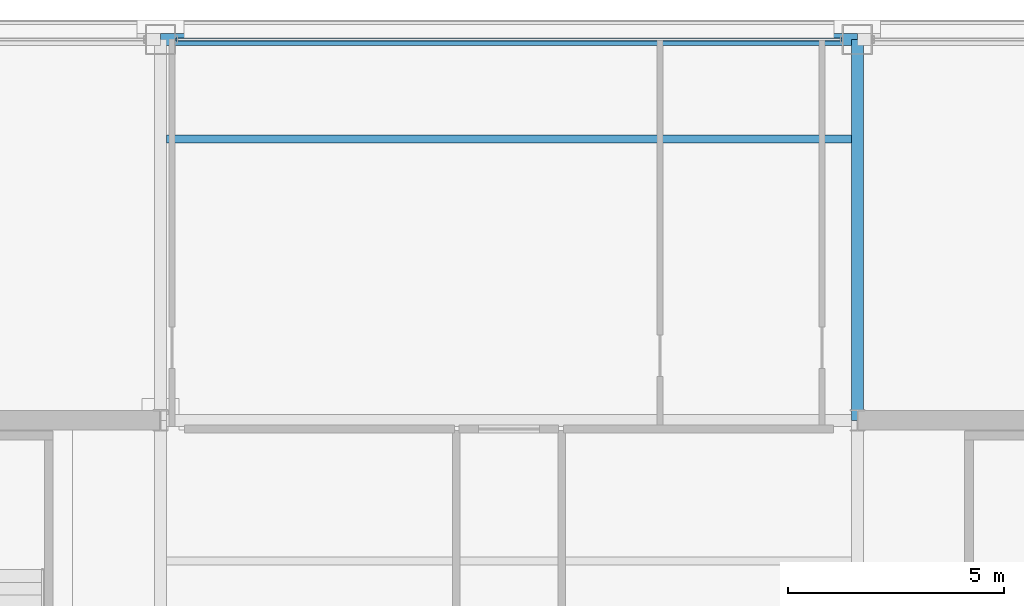
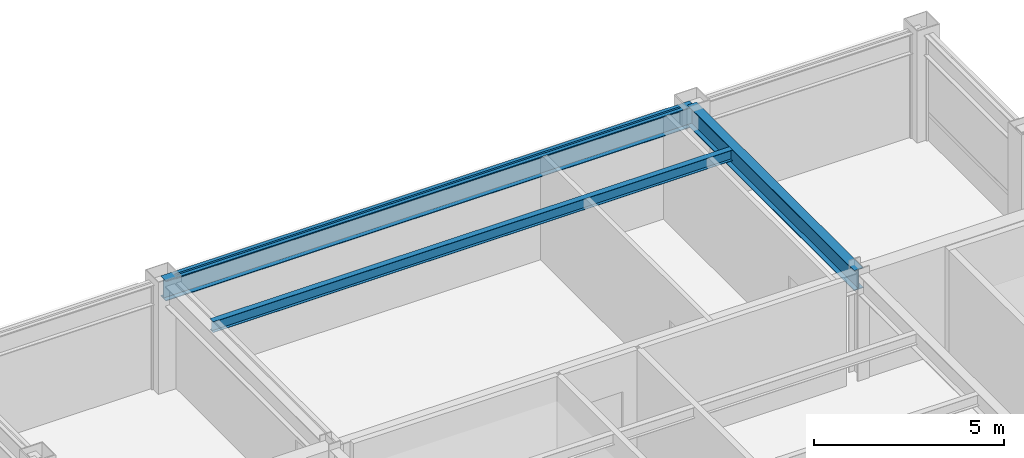
# One storey, part 20 of 28: 3 beams, 1 member, 1 element without a shape of its own.
"""IFC4 building model written with IfcOpenShell, lengths in metres."""

from ifc_helpers import new_model, si_unit, direction, frame, origin, origin_2d, place, context, subcontext, project, spatial, hollow_rectangle, i_section, extrude, material, layer, layer_set, material_profile, profile_set, type_object, element, aggregate, save


model = new_model("IFC4")

# Units and contexts
model_context = context("Model", 3, precision=1e-05, world=origin(), true_north=direction((0.0, 1.0)))
body_context = subcontext(model_context, "Body", "Model", "MODEL_VIEW")
ifc_project = project(units=[si_unit("LENGTHUNIT", "METRE"), si_unit("AREAUNIT", "SQUARE_METRE"), si_unit("VOLUMEUNIT", "CUBIC_METRE"), si_unit("PLANEANGLEUNIT", "RADIAN"), si_unit("MASSUNIT", "GRAM", prefix="KILO")], contexts=[model_context])

# Site, building, storey
site_placement = place(None, origin())
site = spatial("IfcSite", under=ifc_project, at=site_placement, CompositionType="ELEMENT")
building_placement = place(site_placement, origin())
building = spatial("IfcBuilding", under=site, at=building_placement, Name="Brelmoor Portico Tower", CompositionType="ELEMENT")
storey_placement = place(building_placement, frame((0.0, 0.0, 191.10009765625)))
storey = spatial("IfcBuildingStorey", under=building, at=storey_placement, Name="L50", CompositionType="ELEMENT", Elevation=191.10009765625)

# Beams
ifc_material_1 = material(Name="Steel Q355B", Category="steel")
ifc_material_profile_1 = material_profile(ifc_material_1, i_section(OverallWidth=0.175048828125, OverallDepth=0.35009765625, WebThickness=0.007080078125, FlangeThickness=0.010986328125, at=origin_2d()), Name="HN 350x175x7x11")
ifc_profile_set_1 = profile_set([ifc_material_profile_1], Name="Steel Q355B")
beam_type_1 = type_object("IfcBeamType", Name="BM-JS-350", PredefinedType="JOIST", material=ifc_profile_set_1)
beam_1_placement = place(storey_placement, frame((-7.909912109375, 16.25, 3.224853515625), z_axis=(1.0, 0.0, 0.0), x_axis=(0.0, 1.0, 0.0)))
element("IfcBeam", 1, at=beam_1_placement, inside=storey, type_object=beam_type_1, Name="L50 Secondary Composite Joist JS-C04", PredefinedType="JOIST", context=body_context, shape_type="SweptSolid", body=[
    extrude(i_section(OverallWidth=0.175048828125, OverallDepth=0.35009765625, WebThickness=0.007080078125, FlangeThickness=0.010986328125, at=origin_2d()), origin(), (0.0, 0.0, 1.0), 15.81982421875),
])
ifc_material_profile_2 = material_profile(ifc_material_1, i_section(OverallWidth=0.280029296875, OverallDepth=0.64990234375, WebThickness=0.012939453125, FlangeThickness=0.02197265625, at=origin_2d()), Name="HN 650x280x13x22")
ifc_profile_set_2 = profile_set([ifc_material_profile_2], Name="Steel Q355B")
beam_type_2 = type_object("IfcBeamType", Name="BM-PG-650", PredefinedType="BEAM", material=ifc_profile_set_2)
beam_2_placement = place(storey_placement, frame((8.050048828125, 9.75, 3.074951171875), z_axis=(0.0, 1.0, 0.0), x_axis=(-1.0, 0.0, 0.0)))
element("IfcBeam", 2, at=beam_2_placement, inside=storey, type_object=beam_type_2, Name="L50 Primary Floor Girder PG-08", PredefinedType="BEAM", context=body_context, shape_type="SweptSolid", body=[
    extrude(i_section(OverallWidth=0.280029296875, OverallDepth=0.64990234375, WebThickness=0.012939453125, FlangeThickness=0.02197265625, at=origin_2d()), origin(), (0.0, 0.0, 1.0), 8.800048828125),
])
ifc_material_profile_3 = material_profile(ifc_material_1, i_section(OverallWidth=0.280029296875, OverallDepth=0.64990234375, WebThickness=0.012939453125, FlangeThickness=0.02197265625, at=origin_2d()), Name="HN 650x280x13x22")
ifc_profile_set_3 = profile_set([ifc_material_profile_3], Name="Steel Q355B")
beam_type_3 = type_object("IfcBeamType", Name="BM-SP-650", PredefinedType="SPANDREL", material=ifc_profile_set_3)
beam_3_placement = place(storey_placement, frame((-8.050048828125, 18.550048828125, 3.074951171875), z_axis=(1.0, 0.0, 0.0), x_axis=(0.0, 1.0, 0.0)))
element("IfcBeam", 3, at=beam_3_placement, inside=storey, type_object=beam_type_3, Name="L50 Perimeter Spandrel Beam SP-09", PredefinedType="SPANDREL", context=body_context, shape_type="SweptSolid", body=[
    extrude(i_section(OverallWidth=0.280029296875, OverallDepth=0.64990234375, WebThickness=0.012939453125, FlangeThickness=0.02197265625, at=origin_2d()), origin(), (0.0, 0.0, 1.0), 16.10009765625),
])

# Curtain wall, member
ifc_material_2 = material(Name="Anodised Aluminium Alloy 6063-T6", Category="aluminium")
ifc_layer = layer(ifc_material_2, 0.179931640625)
ifc_layer_set = layer_set([ifc_layer], Name="Anodised Aluminium Alloy 6063-T6")
curtain_wall_type = type_object("IfcCurtainWallType", Name="CW-TOWER-Z3-XB", PredefinedType="NOTDEFINED", material=ifc_layer_set)
curtain_wall_placement = place(storey_placement, origin())
curtain_wall = element("IfcCurtainWall", 4, at=curtain_wall_placement, inside=storey, type_object=curtain_wall_type, Name="L50 Curtain Wall CW-L50-02-2", PredefinedType="NOTDEFINED")
ifc_material_profile_4 = material_profile(ifc_material_2, hollow_rectangle(XDim=0.06005859375, YDim=0.125, WallThickness=0.00341796875, at=origin_2d()), Name="ALU TRANSOM 60x125")
ifc_profile_set_4 = profile_set([ifc_material_profile_4], Name="Anodised Aluminium Alloy 6063-T6")
member_type = type_object("IfcMemberType", Name="MB-CW-TRAN-125", PredefinedType="USERDEFINED", material=ifc_profile_set_4)
member_placement = place(storey_placement, frame((-7.68994140625, 18.550048828125, 3.33740234375), z_axis=(1.0, 0.0, 0.0), x_axis=(0.0, 1.0, 0.0)))
member = element("IfcMember", 5, at=member_placement, type_object=member_type, Name="CW-L50-02-2 Transom 1-00", ObjectType="TRANSOM", PredefinedType="USERDEFINED", context=body_context, shape_type="SweptSolid", body=[
    extrude(hollow_rectangle(XDim=0.06005859375, YDim=0.125, WallThickness=0.00341796875, at=origin_2d()), origin(), (0.0, 0.0, 1.0), 15.3798828125),
])
aggregate(curtain_wall, [member])

save(model, "model.ifc")
